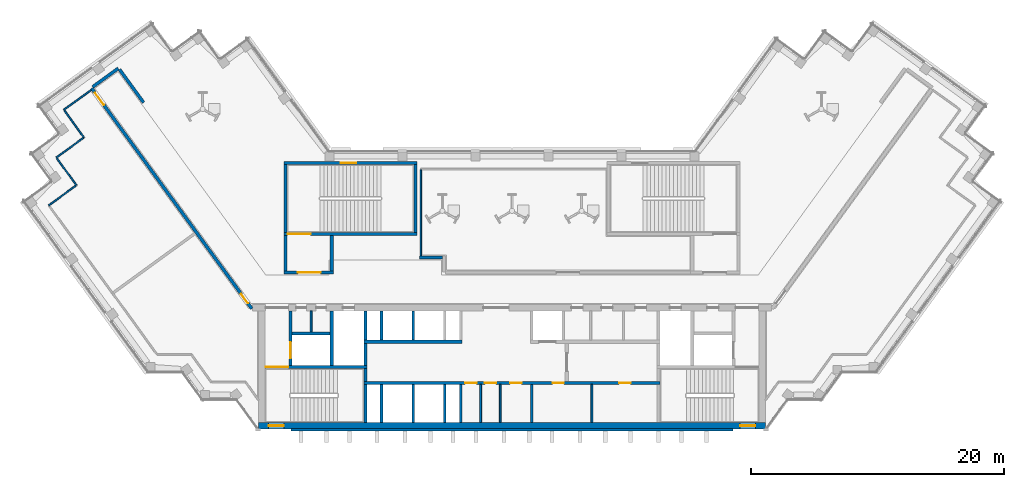
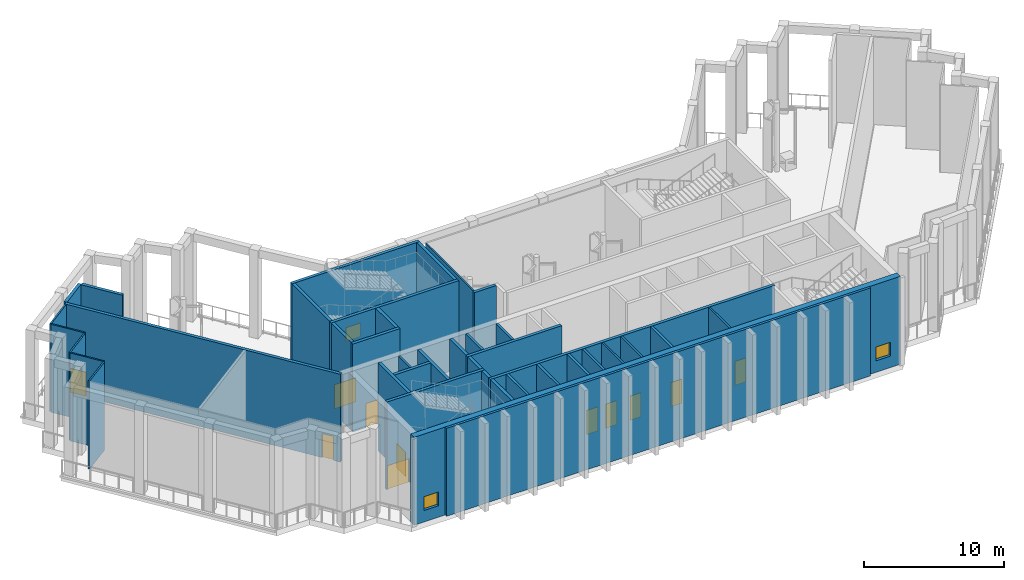
# One storey, part 3 of 12: 40 walls, 11 doors, 3 windows, 14 openings.
"""IFC4 building model written with IfcOpenShell, lengths in metres."""

from ifc_helpers import new_model, si_unit, direction, frame, frame_2d, origin, place, context, subcontext, project, spatial, rectangle, extrude, material, layer, layer_set, type_object, element, fill, save


model = new_model("IFC4")

# Units and contexts
model_context = context("Model", 3, precision=1e-05, world=origin(), true_north=direction((0.0, 1.0)))
body_context = subcontext(model_context, "Body", "Model", "MODEL_VIEW")
ifc_project = project(units=[si_unit("LENGTHUNIT", "METRE"), si_unit("AREAUNIT", "SQUARE_METRE"), si_unit("VOLUMEUNIT", "CUBIC_METRE"), si_unit("PLANEANGLEUNIT", "RADIAN"), si_unit("MASSUNIT", "GRAM", prefix="KILO")], contexts=[model_context])

# Site, building, storey
site_placement = place(None, origin())
site = spatial("IfcSite", under=ifc_project, at=site_placement, CompositionType="ELEMENT")
building_placement = place(site_placement, origin())
building = spatial("IfcBuilding", under=site, at=building_placement, Name="Quipu Civic Tower", CompositionType="ELEMENT")
storey_placement = place(building_placement, frame((0.0, 0.0, 273.0)))
storey = spatial("IfcBuildingStorey", under=building, at=storey_placement, Name="L64", CompositionType="ELEMENT", Elevation=273.0)

# Wall
ifc_material_1 = material(Name="Concrete C70/85", Category="concrete")
ifc_layer_1 = layer(ifc_material_1, 0.25)
ifc_layer_set_1 = layer_set([ifc_layer_1], Name="Concrete C70/85")
wall_type_1 = type_object("IfcWallType", Name="Core wall 250", PredefinedType="SHEAR", material=ifc_layer_set_1)
wall_1_placement = place(storey_placement, frame((-11.574951171875, -10.5, 0.0), z_axis=(0.0, 0.0, 1.0), x_axis=(0.0, 1.0, 0.0)))
element("IfcWall", 1, at=wall_1_placement, inside=storey, type_object=wall_type_1, Name="Core wall", PredefinedType="SHEAR", context=body_context, shape_type="SweptSolid", body=[
    extrude(rectangle(XDim=3.0, YDim=0.25, at=frame_2d((1.5, 0.0))), origin(), (0.0, 0.0, 1.0), 7.64990234375),
])

# Wall, openings, doors
wall_2_placement = place(storey_placement, frame((11.699951171875, -7.375, 0.0), z_axis=(0.0, 0.0, 1.0), x_axis=(-1.0, 0.0, 0.0)))
wall_2 = element("IfcWall", 2, at=wall_2_placement, inside=storey, type_object=wall_type_1, Name="Core wall", PredefinedType="SHEAR", context=body_context, shape_type="SweptSolid", body=[
    extrude(rectangle(XDim=23.39990234375, YDim=0.25, at=frame_2d((11.699951171875, 0.0))), origin(), (0.0, 0.0, 1.0), 7.64990234375),
])
opening_1_placement = place(wall_2_placement, frame((14.5, 0.0, 0.0)))
opening_1 = element("IfcOpeningElement", 3, at=opening_1_placement, cuts=wall_2, Name="Opening CD-01", PredefinedType="OPENING", context=body_context, shape_type="SweptSolid", body=[
    extrude(rectangle(XDim=0.89990234375, YDim=2.10009765625, at=frame_2d((0.449951171875, 1.050048828125))), frame((0.0, 0.135009765625, 0.0), z_axis=(0.0, -1.0, 0.0), x_axis=(1.0, 0.0, 0.0)), (0.0, 0.0, 1.0), 0.27001953125),
])
opening_2_placement = place(wall_2_placement, frame((12.949951171875, 0.0, 0.0)))
opening_2 = element("IfcOpeningElement", 4, at=opening_2_placement, cuts=wall_2, Name="Opening CD-02", PredefinedType="OPENING", context=body_context, shape_type="SweptSolid", body=[
    extrude(rectangle(XDim=0.89990234375, YDim=2.10009765625, at=frame_2d((0.449951171875, 1.050048828125))), frame((0.0, 0.135009765625, 0.0), z_axis=(0.0, -1.0, 0.0), x_axis=(1.0, 0.0, 0.0)), (0.0, 0.0, 1.0), 0.27001953125),
])
opening_3_placement = place(wall_2_placement, frame((10.949951171875, 0.0, 0.0)))
opening_3 = element("IfcOpeningElement", 5, at=opening_3_placement, cuts=wall_2, Name="Opening CD-03", PredefinedType="OPENING", context=body_context, shape_type="SweptSolid", body=[
    extrude(rectangle(XDim=0.89990234375, YDim=2.10009765625, at=frame_2d((0.449951171875, 1.050048828125))), frame((0.0, 0.135009765625, 0.0), z_axis=(0.0, -1.0, 0.0), x_axis=(1.0, 0.0, 0.0)), (0.0, 0.0, 1.0), 0.27001953125),
])
opening_4_placement = place(wall_2_placement, frame((7.60009765625, 0.0, 0.0)))
opening_4 = element("IfcOpeningElement", 6, at=opening_4_placement, cuts=wall_2, Name="Opening CD-04", PredefinedType="OPENING", context=body_context, shape_type="SweptSolid", body=[
    extrude(rectangle(XDim=0.89990234375, YDim=2.10009765625, at=frame_2d((0.449951171875, 1.050048828125))), frame((0.0, 0.135009765625, 0.0), z_axis=(0.0, -1.0, 0.0), x_axis=(1.0, 0.0, 0.0)), (0.0, 0.0, 1.0), 0.27001953125),
])
opening_5_placement = place(wall_2_placement, frame((2.337890625, 0.0, 0.0)))
opening_5 = element("IfcOpeningElement", 7, at=opening_5_placement, cuts=wall_2, Name="Opening CD-05", PredefinedType="OPENING", context=body_context, shape_type="SweptSolid", body=[
    extrude(rectangle(XDim=0.89990234375, YDim=2.10009765625, at=frame_2d((0.449951171875, 1.050048828125))), frame((0.0, 0.135009765625, 0.0), z_axis=(0.0, -1.0, 0.0), x_axis=(1.0, 0.0, 0.0)), (0.0, 0.0, 1.0), 0.27001953125),
])
ifc_material_2 = material(Name="Fire rated steel door", Category="steel")
door_type_1 = type_object("IfcDoorType", Name="Fire door FD60 900 x 2100", OperationType="NOTDEFINED", PredefinedType="DOOR", material=ifc_material_2)
door_1_placement = place(opening_1_placement, origin())
door_1 = element("IfcDoor", 8, at=door_1_placement, inside=storey, type_object=door_type_1, Name="Plant door", OperationType="SINGLE_SWING_RIGHT", OverallHeight=2.10009765625, OverallWidth=0.89990234375, PredefinedType="DOOR", context=body_context, shape_type="SweptSolid", body=[
    extrude(rectangle(XDim=0.89990234375, YDim=2.10009765625, at=frame_2d((0.449951171875, 1.050048828125))), frame((0.0, 0.02490234375, 0.0), z_axis=(0.0, -1.0, 0.0), x_axis=(1.0, 0.0, 0.0)), (0.0, 0.0, 1.0), 0.050048828125),
])
fill(opening_1, door_1)
door_2_placement = place(opening_2_placement, origin())
door_2 = element("IfcDoor", 9, at=door_2_placement, inside=storey, type_object=door_type_1, Name="Plant door", OperationType="SINGLE_SWING_RIGHT", OverallHeight=2.10009765625, OverallWidth=0.89990234375, PredefinedType="DOOR", context=body_context, shape_type="SweptSolid", body=[
    extrude(rectangle(XDim=0.89990234375, YDim=2.10009765625, at=frame_2d((0.449951171875, 1.050048828125))), frame((0.0, 0.02490234375, 0.0), z_axis=(0.0, -1.0, 0.0), x_axis=(1.0, 0.0, 0.0)), (0.0, 0.0, 1.0), 0.050048828125),
])
fill(opening_2, door_2)
door_3_placement = place(opening_3_placement, origin())
door_3 = element("IfcDoor", 10, at=door_3_placement, inside=storey, type_object=door_type_1, Name="Plant door", OperationType="SINGLE_SWING_LEFT", OverallHeight=2.10009765625, OverallWidth=0.89990234375, PredefinedType="DOOR", context=body_context, shape_type="SweptSolid", body=[
    extrude(rectangle(XDim=0.89990234375, YDim=2.10009765625, at=frame_2d((0.449951171875, 1.050048828125))), frame((0.0, 0.02490234375, 0.0), z_axis=(0.0, -1.0, 0.0), x_axis=(1.0, 0.0, 0.0)), (0.0, 0.0, 1.0), 0.050048828125),
])
fill(opening_3, door_3)
door_4_placement = place(opening_4_placement, origin())
door_4 = element("IfcDoor", 11, at=door_4_placement, inside=storey, type_object=door_type_1, Name="Door", OperationType="SINGLE_SWING_LEFT", OverallHeight=2.10009765625, OverallWidth=0.89990234375, PredefinedType="DOOR", context=body_context, shape_type="SweptSolid", body=[
    extrude(rectangle(XDim=0.89990234375, YDim=2.10009765625, at=frame_2d((0.449951171875, 1.050048828125))), frame((0.0, 0.02490234375, 0.0), z_axis=(0.0, -1.0, 0.0), x_axis=(1.0, 0.0, 0.0)), (0.0, 0.0, 1.0), 0.050048828125),
])
fill(opening_4, door_4)
door_5_placement = place(opening_5_placement, origin())
door_5 = element("IfcDoor", 12, at=door_5_placement, inside=storey, type_object=door_type_1, Name="Door", OperationType="SINGLE_SWING_LEFT", OverallHeight=2.10009765625, OverallWidth=0.89990234375, PredefinedType="DOOR", context=body_context, shape_type="SweptSolid", body=[
    extrude(rectangle(XDim=0.89990234375, YDim=2.10009765625, at=frame_2d((0.449951171875, 1.050048828125))), frame((0.0, 0.02490234375, 0.0), z_axis=(0.0, -1.0, 0.0), x_axis=(1.0, 0.0, 0.0)), (0.0, 0.0, 1.0), 0.050048828125),
])
fill(opening_5, door_5)

# Wall
wall_3_placement = place(storey_placement, frame((-11.574951171875, -7.25, 0.0), z_axis=(0.0, 0.0, 1.0), x_axis=(0.0, 1.0, 0.0)))
element("IfcWall", 13, at=wall_3_placement, inside=storey, type_object=wall_type_1, Name="Core wall", PredefinedType="SHEAR", context=body_context, shape_type="SweptSolid", body=[
    extrude(rectangle(XDim=1.0, YDim=0.25, at=frame_2d((0.5, 0.0))), origin(), (0.0, 0.0, 1.0), 7.64990234375),
])

# Wall, opening, door
wall_4_placement = place(storey_placement, frame((-11.449951171875, -6.125, 0.0), z_axis=(0.0, 0.0, 1.0), x_axis=(-1.0, 0.0, 0.0)))
wall_4 = element("IfcWall", 14, at=wall_4_placement, inside=storey, type_object=wall_type_1, Name="Core wall", PredefinedType="SHEAR", context=body_context, shape_type="SweptSolid", body=[
    extrude(rectangle(XDim=8.050048828125, YDim=0.25, at=frame_2d((4.02490234375, 0.0))), origin(), (0.0, 0.0, 1.0), 7.64990234375),
])
opening_6_placement = place(wall_4_placement, frame((6.199951171875, 0.0, 0.0)))
opening_6 = element("IfcOpeningElement", 15, at=opening_6_placement, cuts=wall_4, Name="Opening CD-06", PredefinedType="OPENING", context=body_context, shape_type="SweptSolid", body=[
    extrude(rectangle(XDim=1.800048828125, YDim=2.10009765625, at=frame_2d((0.89990234375, 1.050048828125))), frame((0.0, 0.135009765625, 0.0), z_axis=(0.0, -1.0, 0.0), x_axis=(1.0, 0.0, 0.0)), (0.0, 0.0, 1.0), 0.27001953125),
])
ifc_material_3 = material(Name="Fire rated steel door", Category="steel")
door_type_2 = type_object("IfcDoorType", Name="Fire door FD90 double 1800 x 2100", OperationType="NOTDEFINED", PredefinedType="DOOR", material=ifc_material_3)
door_6_placement = place(opening_6_placement, origin())
door_6 = element("IfcDoor", 16, at=door_6_placement, inside=storey, type_object=door_type_2, Name="Door", OperationType="DOUBLE_DOOR_SINGLE_SWING", OverallHeight=2.10009765625, OverallWidth=1.800048828125, PredefinedType="DOOR", context=body_context, shape_type="SweptSolid", body=[
    extrude(rectangle(XDim=1.800048828125, YDim=2.10009765625, at=frame_2d((0.89990234375, 1.050048828125))), frame((0.0, 0.02490234375, 0.0), z_axis=(0.0, -1.0, 0.0), x_axis=(1.0, 0.0, 0.0)), (0.0, 0.0, 1.0), 0.050048828125),
])
fill(opening_6, door_6)

wall_5_placement = place(storey_placement, frame((-17.47509765625, -6.0, 0.0), z_axis=(0.0, 0.0, 1.0), x_axis=(0.0, 1.0, 0.0)))
wall_5 = element("IfcWall", 17, at=wall_5_placement, inside=storey, type_object=wall_type_1, Name="Core wall", PredefinedType="SHEAR", context=body_context, shape_type="SweptSolid", body=[
    extrude(rectangle(XDim=4.300048828125, YDim=0.25, at=frame_2d((2.14990234375, 0.0))), origin(), (0.0, 0.0, 1.0), 7.64990234375),
])
opening_7_placement = place(wall_5_placement, frame((0.550048828125, 0.0, 0.0)))
opening_7 = element("IfcOpeningElement", 18, at=opening_7_placement, cuts=wall_5, Name="Opening LD-FF1", PredefinedType="OPENING", context=body_context, shape_type="SweptSolid", body=[
    extrude(rectangle(XDim=1.300048828125, YDim=2.10009765625, at=frame_2d((0.64990234375, 1.050048828125))), frame((0.0, 0.135009765625, 0.0), z_axis=(0.0, -1.0, 0.0), x_axis=(1.0, 0.0, 0.0)), (0.0, 0.0, 1.0), 0.27001953125),
])
ifc_material_4 = material(Name="Stainless steel", Category="steel")
door_type_3 = type_object("IfcDoorType", Name="Lift landing door 1300 x 2100", OperationType="DOUBLE_DOOR_SLIDING", PredefinedType="DOOR", material=ifc_material_4)
door_7_placement = place(opening_7_placement, origin())
door_7 = element("IfcDoor", 19, at=door_7_placement, inside=storey, type_object=door_type_3, Name="Landing door FF1", OperationType="DOUBLE_DOOR_SLIDING", OverallHeight=2.10009765625, OverallWidth=1.300048828125, PredefinedType="DOOR", context=body_context, shape_type="SweptSolid", body=[
    extrude(rectangle(XDim=1.300048828125, YDim=2.10009765625, at=frame_2d((0.64990234375, 1.050048828125))), frame((0.0, 0.02490234375, 0.0), z_axis=(0.0, -1.0, 0.0), x_axis=(1.0, 0.0, 0.0)), (0.0, 0.0, 1.0), 0.050048828125),
])
fill(opening_7, door_7)

# Walls
wall_6_placement = place(storey_placement, frame((-14.22509765625, -6.0, 0.0), z_axis=(0.0, 0.0, 1.0), x_axis=(0.0, 1.0, 0.0)))
element("IfcWall", 20, at=wall_6_placement, inside=storey, type_object=wall_type_1, Name="Core wall", PredefinedType="SHEAR", context=body_context, shape_type="SweptSolid", body=[
    extrude(rectangle(XDim=4.300048828125, YDim=0.25, at=frame_2d((2.14990234375, 0.0))), origin(), (0.0, 0.0, 1.0), 7.64990234375),
])
wall_7_placement = place(storey_placement, frame((-11.574951171875, -6.0, 0.0), z_axis=(0.0, 0.0, 1.0), x_axis=(0.0, 1.0, 0.0)))
element("IfcWall", 21, at=wall_7_placement, inside=storey, type_object=wall_type_1, Name="Core wall", PredefinedType="SHEAR", context=body_context, shape_type="SweptSolid", body=[
    extrude(rectangle(XDim=1.75, YDim=0.25, at=frame_2d((0.875, 0.0))), origin(), (0.0, 0.0, 1.0), 7.64990234375),
])
wall_8_placement = place(storey_placement, frame((-11.699951171875, -4.125, 0.0), z_axis=(0.0, 0.0, 1.0), x_axis=(1.0, 0.0, 0.0)))
element("IfcWall", 22, at=wall_8_placement, inside=storey, type_object=wall_type_1, Name="Core wall", PredefinedType="SHEAR", context=body_context, shape_type="SweptSolid", body=[
    extrude(rectangle(XDim=7.75, YDim=0.25, at=frame_2d((3.875, 0.0))), origin(), (0.0, 0.0, 1.0), 7.64990234375),
])
wall_9_placement = place(storey_placement, frame((-11.574951171875, -4.0, 0.0), z_axis=(0.0, 0.0, 1.0), x_axis=(0.0, 1.0, 0.0)))
element("IfcWall", 23, at=wall_9_placement, inside=storey, type_object=wall_type_1, Name="Core wall", PredefinedType="SHEAR", context=body_context, shape_type="SweptSolid", body=[
    extrude(rectangle(XDim=2.300048828125, YDim=0.25, at=frame_2d((1.14990234375, 0.0))), origin(), (0.0, 0.0, 1.0), 7.64990234375),
])
wall_10_placement = place(storey_placement, frame((-17.35009765625, -3.47509765625, 0.0), z_axis=(0.0, 0.0, 1.0), x_axis=(1.0, 0.0, 0.0)))
element("IfcWall", 24, at=wall_10_placement, inside=storey, type_object=wall_type_1, Name="Core wall", PredefinedType="SHEAR", context=body_context, shape_type="SweptSolid", body=[
    extrude(rectangle(XDim=3.0, YDim=0.25, at=frame_2d((1.5, 0.0))), origin(), (0.0, 0.0, 1.0), 7.64990234375),
])

# Wall, opening, door
wall_11_placement = place(storey_placement, frame((-18.0, 1.324951171875, 0.0), z_axis=(0.0, 0.0, 1.0), x_axis=(1.0, 0.0, 0.0)))
wall_11 = element("IfcWall", 25, at=wall_11_placement, inside=storey, type_object=wall_type_1, Name="Core wall", PredefinedType="SHEAR", context=body_context, shape_type="SweptSolid", body=[
    extrude(rectangle(XDim=3.89990234375, YDim=0.25, at=frame_2d((1.949951171875, 0.0))), origin(), (0.0, 0.0, 1.0), 7.64990234375),
])
opening_8_placement = place(wall_11_placement, frame((1.10009765625, 0.0, 0.0)))
opening_8 = element("IfcOpeningElement", 26, at=opening_8_placement, cuts=wall_11, Name="Opening CD-20", PredefinedType="OPENING", context=body_context, shape_type="SweptSolid", body=[
    extrude(rectangle(XDim=1.800048828125, YDim=2.10009765625, at=frame_2d((0.89990234375, 1.050048828125))), frame((0.0, 0.135009765625, 0.0), z_axis=(0.0, -1.0, 0.0), x_axis=(1.0, 0.0, 0.0)), (0.0, 0.0, 1.0), 0.27001953125),
])
door_8_placement = place(opening_8_placement, origin())
door_8 = element("IfcDoor", 27, at=door_8_placement, inside=storey, type_object=door_type_2, Name="Lobby door", OperationType="DOUBLE_DOOR_SINGLE_SWING", OverallHeight=2.10009765625, OverallWidth=1.800048828125, PredefinedType="DOOR", context=body_context, shape_type="SweptSolid", body=[
    extrude(rectangle(XDim=1.800048828125, YDim=2.10009765625, at=frame_2d((0.89990234375, 1.050048828125))), frame((0.0, 0.02490234375, 0.0), z_axis=(0.0, -1.0, 0.0), x_axis=(1.0, 0.0, 0.0)), (0.0, 0.0, 1.0), 0.050048828125),
])
fill(opening_8, door_8)

# Walls
for number, where, z_axis, x_axis, name in (
    (28, (-17.875, 1.449951171875, 0.0), (0.0, 0.0, 1.0), (0.0, 1.0, 0.0), "Core wall"),
    (29, (-14.22509765625, 1.449951171875, 0.0), (0.0, 0.0, 1.0), (0.0, 1.0, 0.0), "Core wall"),
):
    element("IfcWall", number, at=place(storey_placement, frame(where, z_axis=z_axis, x_axis=x_axis)), inside=storey, type_object=wall_type_1, Name=name, PredefinedType="SHEAR", context=body_context, shape_type="SweptSolid", body=[
        extrude(rectangle(XDim=2.800048828125, YDim=0.25, at=frame_2d((1.39990234375, 0.0))), origin(), (0.0, 0.0, 1.0), 7.64990234375),
    ])

# Wall, opening, door
wall_12_placement = place(storey_placement, frame((-18.0, 4.375, 0.0), z_axis=(0.0, 0.0, 1.0), x_axis=(1.0, 0.0, 0.0)))
wall_12 = element("IfcWall", 30, at=wall_12_placement, inside=storey, type_object=wall_type_1, Name="Core wall", PredefinedType="SHEAR", context=body_context, shape_type="SweptSolid", body=[
    extrude(rectangle(XDim=10.5, YDim=0.25, at=frame_2d((5.25, 0.0))), origin(), (0.0, 0.0, 1.0), 7.64990234375),
])
opening_9_placement = place(wall_12_placement, frame((0.300048828125, 0.0, 0.0)))
opening_9 = element("IfcOpeningElement", 31, at=opening_9_placement, cuts=wall_12, Name="Opening CD-21", PredefinedType="OPENING", context=body_context, shape_type="SweptSolid", body=[
    extrude(rectangle(XDim=1.800048828125, YDim=2.10009765625, at=frame_2d((0.89990234375, 1.050048828125))), frame((0.0, 0.135009765625, 0.0), z_axis=(0.0, -1.0, 0.0), x_axis=(1.0, 0.0, 0.0)), (0.0, 0.0, 1.0), 0.27001953125),
])
door_9_placement = place(opening_9_placement, origin())
door_9 = element("IfcDoor", 32, at=door_9_placement, inside=storey, type_object=door_type_2, Name="Door", OperationType="DOUBLE_DOOR_SINGLE_SWING", OverallHeight=2.10009765625, OverallWidth=1.800048828125, PredefinedType="DOOR", context=body_context, shape_type="SweptSolid", body=[
    extrude(rectangle(XDim=1.800048828125, YDim=2.10009765625, at=frame_2d((0.89990234375, 1.050048828125))), frame((0.0, 0.02490234375, 0.0), z_axis=(0.0, -1.0, 0.0), x_axis=(1.0, 0.0, 0.0)), (0.0, 0.0, 1.0), 0.050048828125),
])
fill(opening_9, door_9)

# Walls
for number, where, z_axis, x_axis, name in (
    (33, (-17.875, 4.5, 0.0), (0.0, 0.0, 1.0), (0.0, 1.0, 0.0), "Core wall"),
    (34, (-7.625, 4.5, 0.0), (0.0, 0.0, 1.0), (0.0, 1.0, 0.0), "Core wall"),
):
    element("IfcWall", number, at=place(storey_placement, frame(where, z_axis=z_axis, x_axis=x_axis)), inside=storey, type_object=wall_type_1, Name=name, PredefinedType="SHEAR", context=body_context, shape_type="SweptSolid", body=[
        extrude(rectangle(XDim=5.35009765625, YDim=0.25, at=frame_2d((2.675048828125, 0.0))), origin(), (0.0, 0.0, 1.0), 7.64990234375),
    ])

# Wall, opening, window
wall_13_placement = place(storey_placement, frame((-18.0, 9.97509765625, 0.0), z_axis=(0.0, 0.0, 1.0), x_axis=(1.0, 0.0, 0.0)))
wall_13 = element("IfcWall", 35, at=wall_13_placement, inside=storey, type_object=wall_type_1, Name="Core wall", PredefinedType="SHEAR", context=body_context, shape_type="SweptSolid", body=[
    extrude(rectangle(XDim=10.5, YDim=0.25, at=frame_2d((5.25, 0.0))), origin(), (0.0, 0.0, 1.0), 7.64990234375),
])
opening_10_placement = place(wall_13_placement, frame((4.5, 0.0, 1.0)))
opening_10 = element("IfcOpeningElement", 36, at=opening_10_placement, cuts=wall_13, Name="Opening SV-3", PredefinedType="OPENING", context=body_context, shape_type="SweptSolid", body=[
    extrude(rectangle(XDim=1.199951171875, YDim=1.199951171875, at=frame_2d((0.60009765625, 0.60009765625))), frame((0.0, 0.135009765625, 0.0), z_axis=(0.0, -1.0, 0.0), x_axis=(1.0, 0.0, 0.0)), (0.0, 0.0, 1.0), 0.27001953125),
])
ifc_material_5 = material(Name="Aluminium louvre", Category="aluminium")
window_type = type_object("IfcWindowType", Name="Stair ventilation louvre 1200 x 1200", PartitioningType="SINGLE_PANEL", PredefinedType="WINDOW", material=ifc_material_5)
window_1_placement = place(opening_10_placement, origin())
window_1 = element("IfcWindow", 37, at=window_1_placement, inside=storey, type_object=window_type, Name="Stair ventilation opening", OverallHeight=1.199951171875, OverallWidth=1.199951171875, PartitioningType="SINGLE_PANEL", PredefinedType="WINDOW", context=body_context, shape_type="SweptSolid", body=[
    extrude(rectangle(XDim=1.199951171875, YDim=1.199951171875, at=frame_2d((0.60009765625, 0.60009765625))), frame((0.0, 0.030029296875, 0.0), z_axis=(0.0, -1.0, 0.0), x_axis=(1.0, 0.0, 0.0)), (0.0, 0.0, 1.0), 0.06005859375),
])
fill(opening_10, window_1)

# Wall, openings, windows
ifc_material_6 = material(Name="Concrete C70/85", Category="concrete")
ifc_layer_2 = layer(ifc_material_6, 0.5)
ifc_layer_set_2 = layer_set([ifc_layer_2], Name="Concrete C70/85")
wall_type_2 = type_object("IfcWallType", Name="Core wall 500", PredefinedType="SHEAR", material=ifc_layer_set_2)
wall_14_placement = place(storey_placement, frame((-20.0, -10.75, 0.0), z_axis=(0.0, 0.0, 1.0), x_axis=(1.0, 0.0, 0.0)))
wall_14 = element("IfcWall", 38, at=wall_14_placement, inside=storey, type_object=wall_type_2, Name="Core wall", PredefinedType="SHEAR", context=body_context, shape_type="SweptSolid", body=[
    extrude(rectangle(XDim=40.0, YDim=0.5, at=frame_2d((20.0, 0.0))), origin(), (0.0, 0.0, 1.0), 7.64990234375),
])
opening_11_placement = place(wall_14_placement, frame((0.800048828125, 0.0, 1.0)))
opening_11 = element("IfcOpeningElement", 39, at=opening_11_placement, cuts=wall_14, Name="Opening SV-1", PredefinedType="OPENING", context=body_context, shape_type="SweptSolid", body=[
    extrude(rectangle(XDim=1.199951171875, YDim=1.199951171875, at=frame_2d((0.60009765625, 0.60009765625))), frame((0.0, 0.260009765625, 0.0), z_axis=(0.0, -1.0, 0.0), x_axis=(1.0, 0.0, 0.0)), (0.0, 0.0, 1.0), 0.52001953125),
])
opening_12_placement = place(wall_14_placement, frame((38.0, 0.0, 1.0)))
opening_12 = element("IfcOpeningElement", 40, at=opening_12_placement, cuts=wall_14, Name="Opening SV-2", PredefinedType="OPENING", context=body_context, shape_type="SweptSolid", body=[
    extrude(rectangle(XDim=1.199951171875, YDim=1.199951171875, at=frame_2d((0.60009765625, 0.60009765625))), frame((0.0, 0.260009765625, 0.0), z_axis=(0.0, -1.0, 0.0), x_axis=(1.0, 0.0, 0.0)), (0.0, 0.0, 1.0), 0.52001953125),
])
window_2_placement = place(opening_11_placement, origin())
window_2 = element("IfcWindow", 41, at=window_2_placement, inside=storey, type_object=window_type, Name="Stair ventilation opening", OverallHeight=1.199951171875, OverallWidth=1.199951171875, PartitioningType="SINGLE_PANEL", PredefinedType="WINDOW", context=body_context, shape_type="SweptSolid", body=[
    extrude(rectangle(XDim=1.199951171875, YDim=1.199951171875, at=frame_2d((0.60009765625, 0.60009765625))), frame((0.0, 0.030029296875, 0.0), z_axis=(0.0, -1.0, 0.0), x_axis=(1.0, 0.0, 0.0)), (0.0, 0.0, 1.0), 0.06005859375),
])
fill(opening_11, window_2)
window_3_placement = place(opening_12_placement, origin())
window_3 = element("IfcWindow", 42, at=window_3_placement, inside=storey, type_object=window_type, Name="Stair ventilation opening", OverallHeight=1.199951171875, OverallWidth=1.199951171875, PartitioningType="SINGLE_PANEL", PredefinedType="WINDOW", context=body_context, shape_type="SweptSolid", body=[
    extrude(rectangle(XDim=1.199951171875, YDim=1.199951171875, at=frame_2d((0.60009765625, 0.60009765625))), frame((0.0, 0.030029296875, 0.0), z_axis=(0.0, -1.0, 0.0), x_axis=(1.0, 0.0, 0.0)), (0.0, 0.0, 1.0), 0.06005859375),
])
fill(opening_12, window_3)

# Wall, openings, doors
ifc_material_7 = material(Name="Concrete C50/60", Category="concrete")
ifc_layer_3 = layer(ifc_material_7, 0.25)
ifc_layer_set_3 = layer_set([ifc_layer_3], Name="Concrete C50/60")
wall_type_3 = type_object("IfcWallType", Name="Corridor wall 250 concrete", PredefinedType="SOLIDWALL", material=ifc_layer_set_3)
wall_15_placement = place(storey_placement, frame((-20.531005859375, -1.5234375, 0.0), z_axis=(0.0, 0.0, 1.0), x_axis=(-0.587782944784, 0.809018670873, 0.0)))
wall_15 = element("IfcWall", 43, at=wall_15_placement, inside=storey, type_object=wall_type_3, Name="Corridor wall C06", PredefinedType="SOLIDWALL", context=body_context, shape_type="SweptSolid", body=[
    extrude(rectangle(XDim=21.51220703125, YDim=0.25, at=frame_2d((10.756103515625, 0.0))), origin(), (0.0, 0.0, 1.0), 7.64990234375),
])
opening_13_placement = place(wall_15_placement, frame((0.53271484375, 0.0, 0.0)))
opening_13 = element("IfcOpeningElement", 44, at=opening_13_placement, cuts=wall_15, Name="Opening D004", PredefinedType="OPENING", context=body_context, shape_type="SweptSolid", body=[
    extrude(rectangle(XDim=0.89990234375, YDim=2.10009765625, at=frame_2d((0.449951171875, 1.050048828125))), frame((0.0, 0.135009765625, 0.0), z_axis=(0.0, -1.0, 0.0), x_axis=(1.0, 0.0, 0.0)), (0.0, 0.0, 1.0), 0.27001953125),
])
opening_14_placement = place(wall_15_placement, frame((19.870361328125, 0.0, 0.0)))
opening_14 = element("IfcOpeningElement", 45, at=opening_14_placement, cuts=wall_15, Name="Opening D003", PredefinedType="OPENING", context=body_context, shape_type="SweptSolid", body=[
    extrude(rectangle(XDim=1.199951171875, YDim=2.10009765625, at=frame_2d((0.60009765625, 1.050048828125))), frame((0.0, 0.135009765625, 0.0), z_axis=(0.0, -1.0, 0.0), x_axis=(1.0, 0.0, 0.0)), (0.0, 0.0, 1.0), 0.27001953125),
])
ifc_material_8 = material(Name="Fire rated timber door set with metal frame", Category="wood")
door_type_4 = type_object("IfcDoorType", Name="Single door 1200 x 2100 FD60", OperationType="NOTDEFINED", PredefinedType="DOOR", material=ifc_material_8)
door_10_placement = place(opening_14_placement, origin())
door_10 = element("IfcDoor", 46, at=door_10_placement, inside=storey, type_object=door_type_4, Name="Door D003", OperationType="SINGLE_SWING_RIGHT", OverallHeight=2.10009765625, OverallWidth=1.199951171875, PredefinedType="DOOR", context=body_context, shape_type="SweptSolid", body=[
    extrude(rectangle(XDim=1.199951171875, YDim=2.10009765625, at=frame_2d((0.60009765625, 1.050048828125))), frame((0.0, 0.02490234375, 0.0), z_axis=(0.0, -1.0, 0.0), x_axis=(1.0, 0.0, 0.0)), (0.0, 0.0, 1.0), 0.050048828125),
])
fill(opening_14, door_10)
ifc_material_9 = material(Name="Fire rated timber door set with metal frame", Category="wood")
door_type_5 = type_object("IfcDoorType", Name="Single door 900 x 2100 FD60", OperationType="NOTDEFINED", PredefinedType="DOOR", material=ifc_material_9)
door_11_placement = place(opening_13_placement, origin())
door_11 = element("IfcDoor", 47, at=door_11_placement, inside=storey, type_object=door_type_5, Name="Door D004", OperationType="SINGLE_SWING_LEFT", OverallHeight=2.10009765625, OverallWidth=0.89990234375, PredefinedType="DOOR", context=body_context, shape_type="SweptSolid", body=[
    extrude(rectangle(XDim=0.89990234375, YDim=2.10009765625, at=frame_2d((0.449951171875, 1.050048828125))), frame((0.0, 0.02490234375, 0.0), z_axis=(0.0, -1.0, 0.0), x_axis=(1.0, 0.0, 0.0)), (0.0, 0.0, 1.0), 0.050048828125),
])
fill(opening_13, door_11)

# Walls
wall_16_placement = place(storey_placement, frame((-33.0908203125, 15.98291015625, 0.0), z_axis=(0.0, 0.0, 1.0), x_axis=(0.809011863271, 0.587792314586, 0.0)))
element("IfcWall", 48, at=wall_16_placement, inside=storey, type_object=wall_type_3, Name="Corridor wall C07", PredefinedType="SOLIDWALL", context=body_context, shape_type="SweptSolid", body=[
    extrude(rectangle(XDim=2.487548828125, YDim=0.25, at=frame_2d((1.24365234375, 0.0))), origin(), (0.0, 0.0, 1.0), 7.64990234375),
])
wall_17_placement = place(storey_placement, frame((-30.9755859375, 17.360595703125, 0.0), z_axis=(0.0, 0.0, 1.0), x_axis=(0.587807801954, -0.809000610606, 0.0)))
element("IfcWall", 49, at=wall_17_placement, inside=storey, type_object=wall_type_3, Name="Corridor wall C08", PredefinedType="SOLIDWALL", context=body_context, shape_type="SweptSolid", body=[
    extrude(rectangle(XDim=3.231689453125, YDim=0.25, at=frame_2d((1.61572265625, 0.0))), origin(), (0.0, 0.0, 1.0), 7.64990234375),
])
wall_18_placement = place(storey_placement, frame((-7.289306640625, 2.52490234375, 0.0), z_axis=(0.0, 0.0, 1.0), x_axis=(1.0, 0.0, 0.0)))
element("IfcWall", 50, at=wall_18_placement, inside=storey, type_object=wall_type_3, Name="Corridor wall C09", PredefinedType="SOLIDWALL", context=body_context, shape_type="SweptSolid", body=[
    extrude(rectangle(XDim=1.789306640625, YDim=0.25, at=frame_2d((0.89453125, 0.0))), origin(), (0.0, 0.0, 1.0), 7.64990234375),
])
ifc_material_10 = material(Name="Gypsum plasterboard on light gauge framing")
ifc_layer_4 = layer(ifc_material_10, 0.1201171875)
ifc_layer_set_4 = layer_set([ifc_layer_4], Name="Gypsum plasterboard on light gauge framing")
wall_type_4 = type_object("IfcWallType", Name="Partition 120 plasterboard", PredefinedType="PARTITIONING", material=ifc_layer_set_4)
wall_19_placement = place(storey_placement, frame((-7.197998046875, 9.43994140625, 0.0), z_axis=(0.0, 0.0, 1.0), x_axis=(0.0, -1.0, 0.0)))
element("IfcWall", 51, at=wall_19_placement, inside=storey, type_object=wall_type_4, Name="Partition P03", PredefinedType="PARTITIONING", context=body_context, shape_type="SweptSolid", body=[
    extrude(rectangle(XDim=6.7900390625, YDim=0.1201171875, at=frame_2d((3.39501953125, 0.0))), origin(), (0.0, 0.0, 1.0), 7.64990234375),
])
wall_20_placement = place(storey_placement, frame((-33.222900390625, 15.73291015625, 0.0), z_axis=(0.0, 0.0, 1.0), x_axis=(-0.808994936898, -0.587815610607, 0.0)))
element("IfcWall", 52, at=wall_20_placement, inside=storey, type_object=wall_type_4, Name="Partition P09", PredefinedType="PARTITIONING", context=body_context, shape_type="SweptSolid", body=[
    extrude(rectangle(XDim=2.650146484375, YDim=0.1201171875, at=frame_2d((1.3251953125, 0.0))), origin(), (0.0, 0.0, 1.0), 7.64990234375),
])
wall_21_placement = place(storey_placement, frame((-35.331787109375, 14.12646484375, 0.0), z_axis=(0.0, 0.0, 1.0), x_axis=(0.587423619839, -0.809279612282, 0.0)))
element("IfcWall", 53, at=wall_21_placement, inside=storey, type_object=wall_type_4, Name="Partition P10", PredefinedType="PARTITIONING", context=body_context, shape_type="SweptSolid", body=[
    extrude(rectangle(XDim=2.639892578125, YDim=0.1201171875, at=frame_2d((1.31982421875, 0.0))), origin(), (0.0, 0.0, 1.0), 7.64990234375),
])
wall_22_placement = place(storey_placement, frame((-33.82958984375, 11.95458984375, 0.0), z_axis=(0.0, 0.0, 1.0), x_axis=(-0.809068095178, -0.587714911641, 0.0)))
element("IfcWall", 54, at=wall_22_placement, inside=storey, type_object=wall_type_4, Name="Partition P11", PredefinedType="PARTITIONING", context=body_context, shape_type="SweptSolid", body=[
    extrude(rectangle(XDim=2.63818359375, YDim=0.1201171875, at=frame_2d((1.319091796875, 0.0))), origin(), (0.0, 0.0, 1.0), 7.64990234375),
])
wall_23_placement = place(storey_placement, frame((-35.9287109375, 10.35546875, 0.0), z_axis=(0.0, 0.0, 1.0), x_axis=(0.587423619839, -0.809279612282, 0.0)))
element("IfcWall", 55, at=wall_23_placement, inside=storey, type_object=wall_type_4, Name="Partition P12", PredefinedType="PARTITIONING", context=body_context, shape_type="SweptSolid", body=[
    extrude(rectangle(XDim=2.639892578125, YDim=0.1201171875, at=frame_2d((1.31982421875, 0.0))), origin(), (0.0, 0.0, 1.0), 7.64990234375),
])
wall_24_placement = place(storey_placement, frame((-34.426513671875, 8.18359375, 0.0), z_axis=(0.0, 0.0, 1.0), x_axis=(-0.808892087594, -0.587957133325, 0.0)))
element("IfcWall", 56, at=wall_24_placement, inside=storey, type_object=wall_type_4, Name="Partition P13", PredefinedType="PARTITIONING", context=body_context, shape_type="SweptSolid", body=[
    extrude(rectangle(XDim=2.638916015625, YDim=0.1201171875, at=frame_2d((1.3193359375, 0.0))), origin(), (0.0, 0.0, 1.0), 7.64990234375),
])
ifc_material_11 = material(Name="Gypsum board partition")
ifc_layer_5 = layer(ifc_material_11, 0.14990234375)
ifc_layer_set_5 = layer_set([ifc_layer_5], Name="Gypsum board partition")
wall_type_5 = type_object("IfcWallType", Name="Partition 150", PredefinedType="PARTITIONING", material=ifc_layer_set_5)
for number, where, z_axis, x_axis, name in (
    (57, (-2.47509765625, -10.5, 0.0), (0.0, 0.0, 1.0), (0.0, 1.0, 0.0), "Partition"),
    (58, (-0.925048828125, -10.5, 0.0), (0.0, 0.0, 1.0), (0.0, 1.0, 0.0), "Partition"),
    (59, (6.300048828125, -10.5, 0.0), (0.0, 0.0, 1.0), (0.0, 1.0, 0.0), "Partition"),
):
    element("IfcWall", number, at=place(storey_placement, frame(where, z_axis=z_axis, x_axis=x_axis)), inside=storey, type_object=wall_type_5, Name=name, PredefinedType="PARTITIONING", context=body_context, shape_type="SweptSolid", body=[
        extrude(rectangle(XDim=3.0, YDim=0.14990234375, at=frame_2d((1.5, 0.0))), origin(), (0.0, 0.0, 1.0), 7.64990234375),
    ])
wall_25_placement = place(storey_placement, frame((-15.85009765625, -3.35009765625, 0.0), z_axis=(0.0, 0.0, 1.0), x_axis=(0.0, 1.0, 0.0)))
element("IfcWall", 60, at=wall_25_placement, inside=storey, type_object=wall_type_5, Name="Partition", PredefinedType="PARTITIONING", context=body_context, shape_type="SweptSolid", body=[
    extrude(rectangle(XDim=1.650146484375, YDim=0.14990234375, at=frame_2d((0.8251953125, 0.0))), origin(), (0.0, 0.0, 1.0), 7.64990234375),
])
ifc_material_12 = material(Name="Precast concrete C40/50", Category="concrete")
wall_type_6 = type_object("IfcWallType", Name="Precast cladding wall", PredefinedType="SOLIDWALL", material=ifc_material_12)
wall_26_placement = place(storey_placement, frame((-17.44384765625, -11.087890625, 0.0), z_axis=(0.0, 0.0, 1.0), x_axis=(1.0, 0.0, 0.0)))
element("IfcWall", 61, at=wall_26_placement, inside=storey, type_object=wall_type_6, Name="Precast cladding wall L64 2", PredefinedType="SOLIDWALL", context=body_context, shape_type="SweptSolid", body=[
    extrude(rectangle(XDim=34.8876953125, YDim=0.199951171875, at=frame_2d((17.44384765625, 0.0))), origin(), (0.0, 0.0, 1.0), 7.64990234375),
])
ifc_material_13 = material(Name="Concrete C40/50", Category="concrete")
ifc_layer_6 = layer(ifc_material_13, 0.199951171875)
ifc_layer_set_6 = layer_set([ifc_layer_6], Name="Concrete C40/50")
wall_type_7 = type_object("IfcWallType", Name="Shaft wall 200", PredefinedType="SOLIDWALL", material=ifc_layer_set_6)
for number, where, z_axis, x_axis, name in (
    (62, (-10.300048828125, -10.5, 0.0), (0.0, 0.0, 1.0), (0.0, 1.0, 0.0), "Shaft wall"),
    (63, (-7.800048828125, -10.5, 0.0), (0.0, 0.0, 1.0), (0.0, 1.0, 0.0), "Shaft wall"),
    (64, (-5.300048828125, -10.5, 0.0), (0.0, 0.0, 1.0), (0.0, 1.0, 0.0), "Shaft wall"),
    (65, (-4.050048828125, -10.5, 0.0), (0.0, 0.0, 1.0), (0.0, 1.0, 0.0), "Shaft wall"),
    (66, (1.550048828125, -10.5, 0.0), (0.0, 0.0, 1.0), (0.0, 1.0, 0.0), "Shaft wall"),
):
    element("IfcWall", number, at=place(storey_placement, frame(where, z_axis=z_axis, x_axis=x_axis)), inside=storey, type_object=wall_type_7, Name=name, PredefinedType="SOLIDWALL", context=body_context, shape_type="SweptSolid", body=[
        extrude(rectangle(XDim=3.0, YDim=0.199951171875, at=frame_2d((1.5, 0.0))), origin(), (0.0, 0.0, 1.0), 7.64990234375),
    ])
for number, where, z_axis, x_axis, name in (
    (67, (-10.300048828125, -4.0, 0.0), (0.0, 0.0, 1.0), (0.0, 1.0, 0.0), "Shaft wall"),
    (68, (-7.800048828125, -4.0, 0.0), (0.0, 0.0, 1.0), (0.0, 1.0, 0.0), "Shaft wall"),
):
    element("IfcWall", number, at=place(storey_placement, frame(where, z_axis=z_axis, x_axis=x_axis)), inside=storey, type_object=wall_type_7, Name=name, PredefinedType="SOLIDWALL", context=body_context, shape_type="SweptSolid", body=[
        extrude(rectangle(XDim=2.300048828125, YDim=0.199951171875, at=frame_2d((1.14990234375, 0.0))), origin(), (0.0, 0.0, 1.0), 7.64990234375),
    ])

save(model, "model.ifc")
